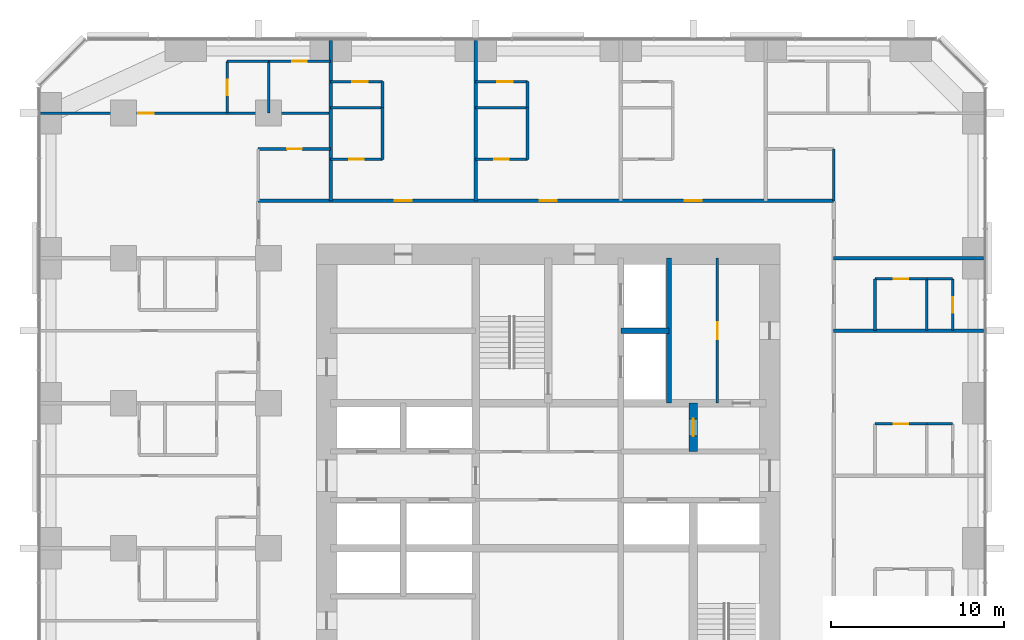
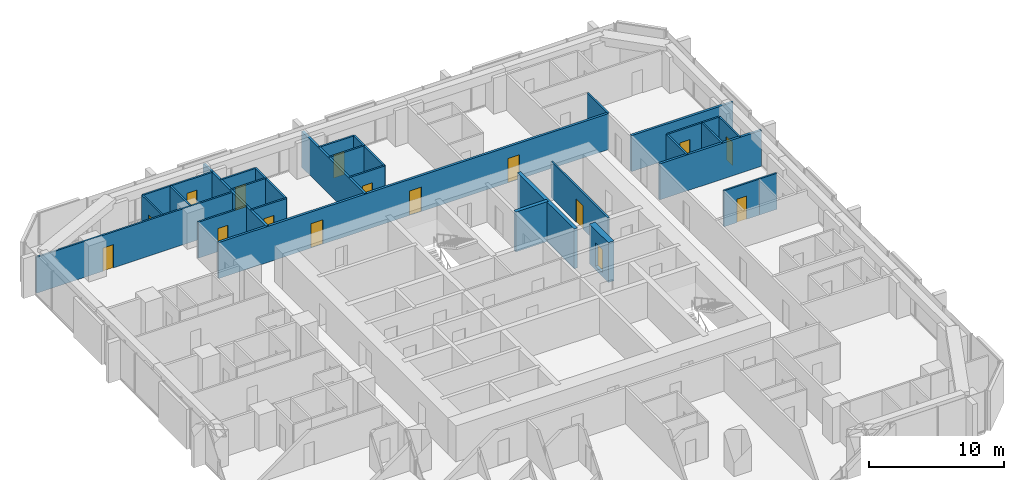
# One storey, part 12 of 14: 33 walls, 16 doors, 16 openings.
"""IFC4 building model written with IfcOpenShell, lengths in metres."""

import ifcopenshell
import ifcopenshell.guid

model = None  # the IFC model being written
_history = None  # IfcOwnerHistory: only IFC2X3 demands one
_inside = {}  # id of a spatial element -> (the spatial element, [elements in it])
_under = {}  # id of a project, library or spatial element -> (it, [spatial elements below it])
_declared = {}  # id of a project -> (the project, [libraries it declares])
_typed = {}  # id of a type object -> (the type object, [elements of that type])
_made_of = {}  # id of a material, layer set ... -> (it, [elements and type objects made of it])


def new_model(schema):
    """Start an empty IFC model of exactly this schema.

    Asked for "IFC4X3", IfcOpenShell would pick the latest addendum, in which some entities
    have other attributes; the version numbers below select the first issue.
    IFC2X3 requires an IfcOwnerHistory on every rooted entity: one is made here for all.
    """
    global model, _history
    if schema == "IFC4X3":
        model = ifcopenshell.file(schema_version=(4, 3, 0, 0))
    else:
        model = ifcopenshell.file(schema=schema)
    _inside.clear()
    _under.clear()
    _declared.clear()
    _typed.clear()
    _made_of.clear()
    _history = None
    if model.schema == "IFC2X3":
        org = make("IfcOrganization", Name="unknown")
        user = make(
            "IfcPersonAndOrganization",
            ThePerson=make("IfcPerson", FamilyName="unknown"),
            TheOrganization=org,
        )
        app = make(
            "IfcApplication",
            ApplicationDeveloper=org,
            Version="unknown",
            ApplicationFullName="unknown",
            ApplicationIdentifier="unknown",
        )
        _history = make(
            "IfcOwnerHistory",
            OwningUser=user,
            OwningApplication=app,
            ChangeAction="ADDED",
            CreationDate=0,
        )
    return model


def make(cls, **values):
    """One entity of the class cls with the attributes given. An attribute that is None is left unset."""
    return model.create_entity(
        cls, **{name: value for name, value in values.items() if value is not None}
    )


def rooted(cls, **values):
    """An entity with a GlobalId (a new one), such as an element, a storey or a relation."""
    return make(cls, GlobalId=ifcopenshell.guid.new(), OwnerHistory=_history, **values)


def si_unit(unit_type, name, prefix=None):
    """IfcSIUnit, for example si_unit("LENGTHUNIT", "METRE", prefix="MILLI")."""
    return make("IfcSIUnit", UnitType=unit_type, Prefix=prefix, Name=name)


def assignment(units):
    """IfcUnitAssignment: the units of a project."""
    return None if units is None else make("IfcUnitAssignment", Units=units)


def point(xyz):
    """IfcCartesianPoint."""
    return None if xyz is None else make("IfcCartesianPoint", Coordinates=xyz)


def direction(xyz):
    """IfcDirection."""
    return None if xyz is None else make("IfcDirection", DirectionRatios=xyz)


def frame(location, z_axis=None, x_axis=None):
    """IfcAxis2Placement3D, a coordinate frame: its origin and axes. An axis left out is left unset."""
    return make(
        "IfcAxis2Placement3D",
        Location=point(location),
        Axis=direction(z_axis),
        RefDirection=direction(x_axis),
    )


def frame_2d(location, x_axis=None):
    """IfcAxis2Placement2D, a coordinate frame in the plane: its origin and x axis."""
    return make(
        "IfcAxis2Placement2D", Location=point(location), RefDirection=direction(x_axis)
    )


def origin():
    """The frame at (0, 0, 0) with its axes left unset."""
    return frame((0.0, 0.0, 0.0))


def place(relative_to, where):
    """IfcLocalPlacement: puts the frame where relative to a parent placement (None: the world)."""
    return make(
        "IfcLocalPlacement", PlacementRelTo=relative_to, RelativePlacement=where
    )


def context(
    kind, dimensions, precision=None, world=None, true_north=None, identifier=None
):
    """IfcGeometricRepresentationContext, for example the 3D "Model" context."""
    return make(
        "IfcGeometricRepresentationContext",
        ContextIdentifier=identifier,
        ContextType=kind,
        CoordinateSpaceDimension=dimensions,
        Precision=precision,
        WorldCoordinateSystem=world,
        TrueNorth=true_north,
    )


def subcontext(parent, identifier, kind, view, scale=None):
    """IfcGeometricRepresentationSubContext, for example "Body" below "Model"."""
    return make(
        "IfcGeometricRepresentationSubContext",
        ContextIdentifier=identifier,
        ContextType=kind,
        ParentContext=parent,
        TargetScale=scale,
        TargetView=view,
    )


def project(units=None, contexts=None):
    """IfcProject with its units and contexts."""
    return rooted(
        "IfcProject",
        Name="project",
        RepresentationContexts=contexts,
        UnitsInContext=assignment(units),
    )


def spatial(cls, under=None, at=None, **own):
    """A site, building, storey or space (cls), placed at a placement, below another one or the project."""
    s = rooted(cls, ObjectPlacement=at, **own)
    if under is not None:
        _under.setdefault(under.id(), (under, []))[1].append(s)
    return s


def profile(cls, at=None, kind="AREA", **sizes):
    """A parametric profile (cls). Its sizes go by their IFC names, for example OverallWidth=200.0."""
    return make(cls, ProfileType=kind, Position=at, **sizes)


def rectangle(**sizes):
    """IfcRectangleProfileDef."""
    return profile("IfcRectangleProfileDef", **sizes)


def extrude(swept, where, along, depth):
    """IfcExtrudedAreaSolid: the profile swept, set in the frame where, extruded along a direction by depth."""
    return make(
        "IfcExtrudedAreaSolid",
        SweptArea=swept,
        Position=where,
        ExtrudedDirection=direction(along),
        Depth=depth,
    )


def shape(context_of_items, identifier, shape_type, items):
    """IfcShapeRepresentation: the items that make up one representation, for example the "Body"."""
    return make(
        "IfcShapeRepresentation",
        ContextOfItems=context_of_items,
        RepresentationIdentifier=identifier,
        RepresentationType=shape_type,
        Items=items,
    )


def material(Name=None, Category=None):
    """IfcMaterial."""
    return make("IfcMaterial", Name=Name, Category=Category)


def layer(
    of_material, thickness, ventilated=None, Name=None, Category=None, Priority=None
):
    """IfcMaterialLayer: one layer of a wall or slab, of a material (None: an air gap)."""
    return make(
        "IfcMaterialLayer",
        Material=of_material,
        LayerThickness=thickness,
        IsVentilated=ventilated,
        Name=Name,
        Category=Category,
        Priority=Priority,
    )


def layer_set(layers, Name=None):
    """IfcMaterialLayerSet."""
    return make("IfcMaterialLayerSet", MaterialLayers=layers, LayerSetName=Name)


def made_of(thing, what):
    """Note that an element or type object is made of a material, layer set ...; save() writes the relation."""
    if what is not None:
        _made_of.setdefault(what.id(), (what, []))[1].append(thing)
    return thing


def type_object(cls, material=None, **own):
    """A type object (cls), such as IfcWallType, which elements share."""
    return made_of(rooted(cls, **own), material)


def element(
    cls,
    number,
    at=None,
    inside=None,
    cuts=None,
    type_object=None,
    material=None,
    context=None,
    identifier="Body",
    shape_type=None,
    held_by="IfcProductDefinitionShape",
    body=None,
    shapes=None,
    **own,
):
    """One element of the class cls, such as IfcWall. Its Tag is "e" and its number.

    at: its placement. inside: the storey or other place that contains it. cuts: it is an
    opening in that element (IfcRelVoidsElement). A single representation is given by context,
    identifier, shape_type and body (its items); several are given by shapes. held_by: the class
    of the entity that holds the representations. save() writes the other relations.
    """
    e = rooted(cls, Tag="e%d" % number, ObjectPlacement=at, **own)
    if body is not None:
        shapes = [shape(context, identifier, shape_type, body)]
    if shapes is not None:
        e.Representation = make(held_by, Representations=shapes)
    if inside is not None:
        _inside.setdefault(inside.id(), (inside, []))[1].append(e)
    if cuts is not None:
        rooted(
            "IfcRelVoidsElement", RelatingBuildingElement=cuts, RelatedOpeningElement=e
        )
    if type_object is not None:
        _typed.setdefault(type_object.id(), (type_object, []))[1].append(e)
    return made_of(e, material)


def fill(opening, filler):
    """IfcRelFillsElement: the door or window that sits in an opening."""
    return rooted(
        "IfcRelFillsElement",
        RelatingOpeningElement=opening,
        RelatedBuildingElement=filler,
    )


def aggregate(whole, parts):
    """IfcRelAggregates: a whole, such as a stair, and the parts it consists of."""
    return rooted("IfcRelAggregates", RelatingObject=whole, RelatedObjects=parts)


def save(model, path):
    """Write the relations noted so far, then the file.

    IfcRelAggregates (storeys below a building ...), IfcRelContainedInSpatialStructure (elements
    in a storey), IfcRelDefinesByType, IfcRelAssociatesMaterial and IfcRelDeclares: one each for
    every whole, place, type object, material and project.
    """
    for whole, parts in _under.values():
        aggregate(whole, parts)
    for where, things in _inside.values():
        rooted(
            "IfcRelContainedInSpatialStructure",
            RelatedElements=things,
            RelatingStructure=where,
        )
    for kind, things in _typed.values():
        rooted("IfcRelDefinesByType", RelatedObjects=things, RelatingType=kind)
    for what, things in _made_of.values():
        rooted("IfcRelAssociatesMaterial", RelatedObjects=things, RelatingMaterial=what)
    for by, libraries in _declared.values():
        rooted("IfcRelDeclares", RelatingContext=by, RelatedDefinitions=libraries)
    model.write(path)


model = new_model("IFC4")

# Units and contexts
model_context = context("Model", 3, precision=1e-05, world=origin(), true_north=direction((0.0, 1.0)))
body_context = subcontext(model_context, "Body", "Model", "MODEL_VIEW")
ifc_project = project(units=[si_unit("LENGTHUNIT", "METRE"), si_unit("AREAUNIT", "SQUARE_METRE"), si_unit("VOLUMEUNIT", "CUBIC_METRE"), si_unit("PLANEANGLEUNIT", "RADIAN"), si_unit("MASSUNIT", "GRAM", prefix="KILO")], contexts=[model_context])

# Site, building, storey
site_placement = place(None, origin())
site = spatial("IfcSite", under=ifc_project, at=site_placement, CompositionType="ELEMENT")
building_placement = place(site_placement, origin())
building = spatial("IfcBuilding", under=site, at=building_placement, Name="Dunama Terrace Hotel", CompositionType="ELEMENT")
storey_placement = place(building_placement, frame((0.0, 0.0, 104.39990234375)))
storey = spatial("IfcBuildingStorey", under=building, at=storey_placement, Name="L26", CompositionType="ELEMENT", Elevation=104.39990234375)

# Walls
ifc_material_1 = material(Name="Gypsum board partition", Category="masonry")
ifc_layer_1 = layer(ifc_material_1, 0.14990234375)
ifc_layer_set_1 = layer_set([ifc_layer_1], Name="Bathroom partition 150")
wall_type_1 = type_object("IfcWallType", Name="Bathroom partition 150", PredefinedType="PARTITIONING", material=ifc_layer_set_1)
for number, where, z_axis, x_axis, name in (
    (1, (19.800048828125, 47.72509765625, 0.0), (0.0, 0.0, 1.0), (0.0, 1.0, 0.0), "Bathroom partition 150 L26"),
    (2, (28.199951171875, 47.72509765625, 0.0), (0.0, 0.0, 1.0), (0.0, 1.0, 0.0), "Bathroom partition 150 L26"),
    (3, (45.925048828125, 45.324951171875, 0.0), (0.0, 0.0, 1.0), (0.0, 1.0, 0.0), "Bathroom partition 150 L26"),
    (4, (48.324951171875, 37.800048828125, 0.0), (0.0, 0.0, 1.0), (0.0, 1.0, 0.0), "Bathroom partition 150 L26"),
):
    element("IfcWall", number, at=place(storey_placement, frame(where, z_axis=z_axis, x_axis=x_axis)), inside=storey, type_object=wall_type_1, Name=name, PredefinedType="PARTITIONING", context=body_context, shape_type="SweptSolid", body=[
        extrude(rectangle(XDim=3.0, YDim=0.14990234375, at=frame_2d((1.5, 0.0))), origin(), (0.0, 0.0, 1.0), 3.25),
    ])

# Wall, opening, door
wall_1_placement = place(storey_placement, frame((48.324951171875, 32.39990234375, 0.0), z_axis=(0.0, 0.0, 1.0), x_axis=(1.0, 0.0, 0.0)))
wall_1 = element("IfcWall", 5, at=wall_1_placement, inside=storey, type_object=wall_type_1, Name="Bathroom partition 150 L26", PredefinedType="PARTITIONING", context=body_context, shape_type="SweptSolid", body=[
    extrude(rectangle(XDim=3.0, YDim=0.14990234375, at=frame_2d((1.5, 0.0))), origin(), (0.0, 0.0, 1.0), 3.25),
])
opening_1_placement = place(wall_1_placement, frame((1.074951171875, 0.0, 0.0)))
opening_1 = element("IfcOpeningElement", 6, at=opening_1_placement, cuts=wall_1, Name="Opening L25-27-030", PredefinedType="OPENING", context=body_context, shape_type="SweptSolid", body=[
    extrude(rectangle(XDim=0.85009765625, YDim=2.10009765625, at=frame_2d((0.425048828125, 1.050048828125))), frame((0.0, 0.0849609375, 0.0), z_axis=(0.0, -1.0, 0.0), x_axis=(1.0, 0.0, 0.0)), (0.0, 0.0, 1.0), 0.169921875),
])
ifc_material_2 = material(Name="Timber door with steel frame", Category="steel")
door_type_1 = type_object("IfcDoorType", Name="Bathroom door 850", OperationType="SINGLE_SWING_LEFT", PredefinedType="DOOR", material=ifc_material_2)
door_1_placement = place(opening_1_placement, frame((0.85009765625, 0.0, 0.0), z_axis=(0.0, 0.0, 1.0), x_axis=(-1.0, 0.0, 0.0)))
door_1 = element("IfcDoor", 7, at=door_1_placement, inside=storey, type_object=door_type_1, Name="Door to en-suite bathroom L25-27-030, type D2", OperationType="SINGLE_SWING_LEFT", OverallHeight=2.10009765625, OverallWidth=0.85009765625, PredefinedType="DOOR", context=body_context, shape_type="SweptSolid", body=[
    extrude(rectangle(XDim=0.85009765625, YDim=2.10009765625, at=frame_2d((0.425048828125, 1.050048828125))), frame((0.0, 0.025146484375, 0.0), z_axis=(0.0, -1.0, 0.0), x_axis=(1.0, 0.0, 0.0)), (0.0, 0.0, 1.0), 0.050048828125),
])
fill(opening_1, door_1)

wall_2_placement = place(storey_placement, frame((48.324951171875, 40.800048828125, 0.0), z_axis=(0.0, 0.0, 1.0), x_axis=(1.0, 0.0, 0.0)))
wall_2 = element("IfcWall", 8, at=wall_2_placement, inside=storey, type_object=wall_type_1, Name="Bathroom partition 150 L26", PredefinedType="PARTITIONING", context=body_context, shape_type="SweptSolid", body=[
    extrude(rectangle(XDim=3.0, YDim=0.14990234375, at=frame_2d((1.5, 0.0))), origin(), (0.0, 0.0, 1.0), 3.25),
])
opening_2_placement = place(wall_2_placement, frame((1.074951171875, 0.0, 0.0)))
opening_2 = element("IfcOpeningElement", 9, at=opening_2_placement, cuts=wall_2, Name="Opening L25-27-033", PredefinedType="OPENING", context=body_context, shape_type="SweptSolid", body=[
    extrude(rectangle(XDim=0.85009765625, YDim=2.10009765625, at=frame_2d((0.425048828125, 1.050048828125))), frame((0.0, 0.0849609375, 0.0), z_axis=(0.0, -1.0, 0.0), x_axis=(1.0, 0.0, 0.0)), (0.0, 0.0, 1.0), 0.169921875),
])
door_2_placement = place(opening_2_placement, frame((0.85009765625, 0.0, 0.0), z_axis=(0.0, 0.0, 1.0), x_axis=(-1.0, 0.0, 0.0)))
door_2 = element("IfcDoor", 10, at=door_2_placement, inside=storey, type_object=door_type_1, Name="Door to en-suite bathroom L25-27-033, type D2", OperationType="SINGLE_SWING_LEFT", OverallHeight=2.10009765625, OverallWidth=0.85009765625, PredefinedType="DOOR", context=body_context, shape_type="SweptSolid", body=[
    extrude(rectangle(XDim=0.85009765625, YDim=2.10009765625, at=frame_2d((0.425048828125, 1.050048828125))), frame((0.0, 0.025146484375, 0.0), z_axis=(0.0, -1.0, 0.0), x_axis=(1.0, 0.0, 0.0)), (0.0, 0.0, 1.0), 0.050048828125),
])
fill(opening_2, door_2)

wall_3_placement = place(storey_placement, frame((16.800048828125, 47.72509765625, 0.0), z_axis=(0.0, 0.0, 1.0), x_axis=(1.0, 0.0, 0.0)))
wall_3 = element("IfcWall", 11, at=wall_3_placement, inside=storey, type_object=wall_type_1, Name="Bathroom partition 150 L26", PredefinedType="PARTITIONING", context=body_context, shape_type="SweptSolid", body=[
    extrude(rectangle(XDim=3.0, YDim=0.14990234375, at=frame_2d((1.5, 0.0))), origin(), (0.0, 0.0, 1.0), 3.25),
])
opening_3_placement = place(wall_3_placement, frame((1.074951171875, 0.0, 0.0)))
opening_3 = element("IfcOpeningElement", 12, at=opening_3_placement, cuts=wall_3, Name="Opening L25-27-036", PredefinedType="OPENING", context=body_context, shape_type="SweptSolid", body=[
    extrude(rectangle(XDim=0.85009765625, YDim=2.10009765625, at=frame_2d((0.425048828125, 1.050048828125))), frame((0.0, 0.0849609375, 0.0), z_axis=(0.0, -1.0, 0.0), x_axis=(1.0, 0.0, 0.0)), (0.0, 0.0, 1.0), 0.169921875),
])
door_3_placement = place(opening_3_placement, origin())
door_3 = element("IfcDoor", 13, at=door_3_placement, inside=storey, type_object=door_type_1, Name="Door to en-suite bathroom L25-27-036, type D2", OperationType="SINGLE_SWING_LEFT", OverallHeight=2.10009765625, OverallWidth=0.85009765625, PredefinedType="DOOR", context=body_context, shape_type="SweptSolid", body=[
    extrude(rectangle(XDim=0.85009765625, YDim=2.10009765625, at=frame_2d((0.425048828125, 1.050048828125))), frame((0.0, 0.02490234375, 0.0), z_axis=(0.0, -1.0, 0.0), x_axis=(1.0, 0.0, 0.0)), (0.0, 0.0, 1.0), 0.050048828125),
])
fill(opening_3, door_3)

wall_4_placement = place(storey_placement, frame((25.199951171875, 47.72509765625, 0.0), z_axis=(0.0, 0.0, 1.0), x_axis=(1.0, 0.0, 0.0)))
wall_4 = element("IfcWall", 14, at=wall_4_placement, inside=storey, type_object=wall_type_1, Name="Bathroom partition 150 L26", PredefinedType="PARTITIONING", context=body_context, shape_type="SweptSolid", body=[
    extrude(rectangle(XDim=3.0, YDim=0.14990234375, at=frame_2d((1.5, 0.0))), origin(), (0.0, 0.0, 1.0), 3.25),
])
opening_4_placement = place(wall_4_placement, frame((1.074951171875, 0.0, 0.0)))
opening_4 = element("IfcOpeningElement", 15, at=opening_4_placement, cuts=wall_4, Name="Opening L25-27-039", PredefinedType="OPENING", context=body_context, shape_type="SweptSolid", body=[
    extrude(rectangle(XDim=0.85009765625, YDim=2.10009765625, at=frame_2d((0.425048828125, 1.050048828125))), frame((0.0, 0.0849609375, 0.0), z_axis=(0.0, -1.0, 0.0), x_axis=(1.0, 0.0, 0.0)), (0.0, 0.0, 1.0), 0.169921875),
])
door_4_placement = place(opening_4_placement, origin())
door_4 = element("IfcDoor", 16, at=door_4_placement, inside=storey, type_object=door_type_1, Name="Door to en-suite bathroom L25-27-039, type D2", OperationType="SINGLE_SWING_LEFT", OverallHeight=2.10009765625, OverallWidth=0.85009765625, PredefinedType="DOOR", context=body_context, shape_type="SweptSolid", body=[
    extrude(rectangle(XDim=0.85009765625, YDim=2.10009765625, at=frame_2d((0.425048828125, 1.050048828125))), frame((0.0, 0.02490234375, 0.0), z_axis=(0.0, -1.0, 0.0), x_axis=(1.0, 0.0, 0.0)), (0.0, 0.0, 1.0), 0.050048828125),
])
fill(opening_4, door_4)

wall_5_placement = place(storey_placement, frame((12.60009765625, 48.324951171875, 0.0), z_axis=(0.0, 0.0, 1.0), x_axis=(1.0, 0.0, 0.0)))
wall_5 = element("IfcWall", 17, at=wall_5_placement, inside=storey, type_object=wall_type_1, Name="Bathroom partition 150 L26", PredefinedType="PARTITIONING", context=body_context, shape_type="SweptSolid", body=[
    extrude(rectangle(XDim=4.199951171875, YDim=0.14990234375, at=frame_2d((2.10009765625, 0.0))), origin(), (0.0, 0.0, 1.0), 3.25),
])
opening_5_placement = place(wall_5_placement, frame((1.675048828125, 0.0, 0.0)))
opening_5 = element("IfcOpeningElement", 18, at=opening_5_placement, cuts=wall_5, Name="Opening L25-27-075", PredefinedType="OPENING", context=body_context, shape_type="SweptSolid", body=[
    extrude(rectangle(XDim=0.85009765625, YDim=2.10009765625, at=frame_2d((0.425048828125, 1.050048828125))), frame((0.0, 0.0849609375, 0.0), z_axis=(0.0, -1.0, 0.0), x_axis=(1.0, 0.0, 0.0)), (0.0, 0.0, 1.0), 0.169921875),
])
door_5_placement = place(opening_5_placement, frame((0.85009765625, 0.0, 0.0), z_axis=(0.0, 0.0, 1.0), x_axis=(-1.0, 0.0, 0.0)))
door_5 = element("IfcDoor", 19, at=door_5_placement, inside=storey, type_object=door_type_1, Name="Door to powder room L25-27-075, type D2", OperationType="SINGLE_SWING_RIGHT", OverallHeight=2.10009765625, OverallWidth=0.85009765625, PredefinedType="DOOR", context=body_context, shape_type="SweptSolid", body=[
    extrude(rectangle(XDim=0.85009765625, YDim=2.10009765625, at=frame_2d((0.425048828125, 1.050048828125))), frame((0.0, 0.025146484375, 0.0), z_axis=(0.0, -1.0, 0.0), x_axis=(1.0, 0.0, 0.0)), (0.0, 0.0, 1.0), 0.050048828125),
])
fill(opening_5, door_5)

wall_6_placement = place(storey_placement, frame((13.199951171875, 53.39990234375, 0.0), z_axis=(0.0, 0.0, 1.0), x_axis=(1.0, 0.0, 0.0)))
wall_6 = element("IfcWall", 20, at=wall_6_placement, inside=storey, type_object=wall_type_1, Name="Bathroom partition 150 L26", PredefinedType="PARTITIONING", context=body_context, shape_type="SweptSolid", body=[
    extrude(rectangle(XDim=3.60009765625, YDim=0.14990234375, at=frame_2d((1.800048828125, 0.0))), origin(), (0.0, 0.0, 1.0), 3.25),
])
opening_6_placement = place(wall_6_placement, frame((1.375, 0.0, 0.0)))
opening_6 = element("IfcOpeningElement", 21, at=opening_6_placement, cuts=wall_6, Name="Opening L25-27-077", PredefinedType="OPENING", context=body_context, shape_type="SweptSolid", body=[
    extrude(rectangle(XDim=0.85009765625, YDim=2.10009765625, at=frame_2d((0.425048828125, 1.050048828125))), frame((0.0, 0.0849609375, 0.0), z_axis=(0.0, -1.0, 0.0), x_axis=(1.0, 0.0, 0.0)), (0.0, 0.0, 1.0), 0.169921875),
])
door_6_placement = place(opening_6_placement, frame((0.85009765625, 0.0, 0.0), z_axis=(0.0, 0.0, 1.0), x_axis=(-1.0, 0.0, 0.0)))
door_6 = element("IfcDoor", 22, at=door_6_placement, inside=storey, type_object=door_type_1, Name="Door to en-suite bathroom L25-27-077, type D2", OperationType="SINGLE_SWING_LEFT", OverallHeight=2.10009765625, OverallWidth=0.85009765625, PredefinedType="DOOR", context=body_context, shape_type="SweptSolid", body=[
    extrude(rectangle(XDim=0.85009765625, YDim=2.10009765625, at=frame_2d((0.425048828125, 1.050048828125))), frame((0.0, 0.025146484375, 0.0), z_axis=(0.0, -1.0, 0.0), x_axis=(1.0, 0.0, 0.0)), (0.0, 0.0, 1.0), 0.050048828125),
])
fill(opening_6, door_6)

# Walls
ifc_material_3 = material(Name="Concrete C50/60", Category="concrete")
ifc_layer_2 = layer(ifc_material_3, 0.300048828125)
ifc_layer_set_2 = layer_set([ifc_layer_2], Name="Core inner wall 300")
wall_type_2 = type_object("IfcWallType", Name="Core inner wall 300", PredefinedType="SHEAR", material=ifc_layer_set_2)
wall_7_placement = place(storey_placement, frame((36.39990234375, 33.60009765625, -0.349853515625), z_axis=(0.0, 0.0, 1.0), x_axis=(0.0, 1.0, 0.0)))
element("IfcWall", 23, at=wall_7_placement, inside=storey, type_object=wall_type_2, Name="Core inner wall 300 L26", PredefinedType="SHEAR", context=body_context, shape_type="SweptSolid", body=[
    extrude(rectangle(XDim=8.39990234375, YDim=0.300048828125, at=frame_2d((4.199951171875, 0.0))), origin(), (0.0, 0.0, 1.0), 3.599853515625),
])
wall_8_placement = place(storey_placement, frame((33.60009765625, 37.800048828125, -0.349853515625), z_axis=(0.0, 0.0, 1.0), x_axis=(1.0, 0.0, 0.0)))
element("IfcWall", 24, at=wall_8_placement, inside=storey, type_object=wall_type_2, Name="Core inner wall 300 L26", PredefinedType="SHEAR", context=body_context, shape_type="SweptSolid", body=[
    extrude(rectangle(XDim=2.7998046875, YDim=0.300048828125, at=frame_2d((1.39990234375, 0.0))), origin(), (0.0, 0.0, 1.0), 3.599853515625),
])

# Wall, opening, door
ifc_material_4 = material(Name="Concrete C50/60", Category="concrete")
ifc_layer_3 = layer(ifc_material_4, 0.5)
ifc_layer_set_3 = layer_set([ifc_layer_3], Name="Core inner wall 500")
wall_type_3 = type_object("IfcWallType", Name="Core inner wall 500", PredefinedType="SHEAR", material=ifc_layer_set_3)
wall_9_placement = place(storey_placement, frame((37.800048828125, 30.800048828125, -0.349853515625), z_axis=(0.0, 0.0, 1.0), x_axis=(0.0, 1.0, 0.0)))
wall_9 = element("IfcWall", 25, at=wall_9_placement, inside=storey, type_object=wall_type_3, Name="Core inner wall 500 L26", PredefinedType="SHEAR", context=body_context, shape_type="SweptSolid", body=[
    extrude(rectangle(XDim=2.800048828125, YDim=0.5, at=frame_2d((1.39990234375, 0.0))), origin(), (0.0, 0.0, 1.0), 3.599853515625),
])
opening_7_placement = place(wall_9_placement, frame((0.89990234375, 0.0, 0.35009765625)))
opening_7 = element("IfcOpeningElement", 26, at=opening_7_placement, cuts=wall_9, Name="Opening L25-27-087", PredefinedType="OPENING", context=body_context, shape_type="SweptSolid", body=[
    extrude(rectangle(XDim=1.0, YDim=2.10009765625, at=frame_2d((0.5, 1.050048828125))), frame((0.0, 0.260009765625, 0.0), z_axis=(0.0, -1.0, 0.0), x_axis=(1.0, 0.0, 0.0)), (0.0, 0.0, 1.0), 0.52001953125),
])
ifc_material_5 = material(Name="Timber door with steel frame", Category="steel")
door_type_2 = type_object("IfcDoorType", Name="Service door 1000", OperationType="SINGLE_SWING_LEFT", PredefinedType="DOOR", material=ifc_material_5)
door_7_placement = place(opening_7_placement, frame((1.0, 0.0, 0.0), z_axis=(0.0, 0.0, 1.0), x_axis=(-1.0, 0.0, 0.0)))
door_7 = element("IfcDoor", 27, at=door_7_placement, inside=storey, type_object=door_type_2, Name="Door to service riser L25-27-087, type D7", OperationType="SINGLE_SWING_LEFT", OverallHeight=2.10009765625, OverallWidth=1.0, PredefinedType="DOOR", context=body_context, shape_type="SweptSolid", body=[
    extrude(rectangle(XDim=1.0, YDim=2.10009765625, at=frame_2d((0.5, 1.050048828125))), frame((0.0, 0.025146484375, 0.0), z_axis=(0.0, -1.0, 0.0), x_axis=(1.0, 0.0, 0.0)), (0.0, 0.0, 1.0), 0.050048828125),
])
fill(opening_7, door_7)

# Wall, openings, doors
ifc_material_6 = material(Name="Concrete blockwork", Category="masonry")
ifc_layer_4 = layer(ifc_material_6, 0.199951171875)
ifc_layer_set_4 = layer_set([ifc_layer_4], Name="Corridor partition 200")
wall_type_4 = type_object("IfcWallType", Name="Corridor partition 200", PredefinedType="PARTITIONING", material=ifc_layer_set_4)
wall_10_placement = place(storey_placement, frame((12.60009765625, 45.324951171875, 0.0), z_axis=(0.0, 0.0, 1.0), x_axis=(1.0, 0.0, 0.0)))
wall_10 = element("IfcWall", 28, at=wall_10_placement, inside=storey, type_object=wall_type_4, Name="Corridor partition 200 L26", PredefinedType="PARTITIONING", context=body_context, shape_type="SweptSolid", body=[
    extrude(rectangle(XDim=33.324951171875, YDim=0.199951171875, at=frame_2d((16.66259765625, 0.0))), origin(), (0.0, 0.0, 1.0), 3.25),
])
opening_8_placement = place(wall_10_placement, frame((7.89990234375, 0.0, 0.0)))
opening_8 = element("IfcOpeningElement", 29, at=opening_8_placement, cuts=wall_10, Name="Opening L25-27-035", PredefinedType="OPENING", context=body_context, shape_type="SweptSolid", body=[
    extrude(rectangle(XDim=1.0, YDim=2.199951171875, at=frame_2d((0.5, 1.10009765625))), frame((0.0, 0.10986328125, 0.0), z_axis=(0.0, -1.0, 0.0), x_axis=(1.0, 0.0, 0.0)), (0.0, 0.0, 1.0), 0.219970703125),
])
opening_9_placement = place(wall_10_placement, frame((16.300048828125, 0.0, 0.0)))
opening_9 = element("IfcOpeningElement", 30, at=opening_9_placement, cuts=wall_10, Name="Opening L25-27-038", PredefinedType="OPENING", context=body_context, shape_type="SweptSolid", body=[
    extrude(rectangle(XDim=1.0, YDim=2.199951171875, at=frame_2d((0.5, 1.10009765625))), frame((0.0, 0.10986328125, 0.0), z_axis=(0.0, -1.0, 0.0), x_axis=(1.0, 0.0, 0.0)), (0.0, 0.0, 1.0), 0.219970703125),
])
opening_10_placement = place(wall_10_placement, frame((24.699951171875, 0.0, 0.0)))
opening_10 = element("IfcOpeningElement", 31, at=opening_10_placement, cuts=wall_10, Name="Opening L25-27-041", PredefinedType="OPENING", context=body_context, shape_type="SweptSolid", body=[
    extrude(rectangle(XDim=1.0, YDim=2.199951171875, at=frame_2d((0.5, 1.10009765625))), frame((0.0, 0.10986328125, 0.0), z_axis=(0.0, -1.0, 0.0), x_axis=(1.0, 0.0, 0.0)), (0.0, 0.0, 1.0), 0.219970703125),
])
ifc_material_7 = material(Name="Timber door with steel frame", Category="steel")
door_type_3 = type_object("IfcDoorType", Name="Guest room door 1000", OperationType="SINGLE_SWING_LEFT", PredefinedType="DOOR", material=ifc_material_7)
door_8_placement = place(opening_8_placement, origin())
door_8 = element("IfcDoor", 32, at=door_8_placement, inside=storey, type_object=door_type_3, Name="Door to junior suite L25-27-035, type D1", OperationType="SINGLE_SWING_LEFT", OverallHeight=2.199951171875, OverallWidth=1.0, PredefinedType="DOOR", context=body_context, shape_type="SweptSolid", body=[
    extrude(rectangle(XDim=1.0, YDim=2.199951171875, at=frame_2d((0.5, 1.10009765625))), frame((0.0, 0.02490234375, 0.0), z_axis=(0.0, -1.0, 0.0), x_axis=(1.0, 0.0, 0.0)), (0.0, 0.0, 1.0), 0.050048828125),
])
fill(opening_8, door_8)
door_9_placement = place(opening_9_placement, origin())
door_9 = element("IfcDoor", 33, at=door_9_placement, inside=storey, type_object=door_type_3, Name="Door to junior suite L25-27-038, type D1", OperationType="SINGLE_SWING_LEFT", OverallHeight=2.199951171875, OverallWidth=1.0, PredefinedType="DOOR", context=body_context, shape_type="SweptSolid", body=[
    extrude(rectangle(XDim=1.0, YDim=2.199951171875, at=frame_2d((0.5, 1.10009765625))), frame((0.0, 0.02490234375, 0.0), z_axis=(0.0, -1.0, 0.0), x_axis=(1.0, 0.0, 0.0)), (0.0, 0.0, 1.0), 0.050048828125),
])
fill(opening_9, door_9)
door_10_placement = place(opening_10_placement, origin())
door_10 = element("IfcDoor", 34, at=door_10_placement, inside=storey, type_object=door_type_3, Name="Door to junior suite L25-27-041, type D1", OperationType="SINGLE_SWING_LEFT", OverallHeight=2.199951171875, OverallWidth=1.0, PredefinedType="DOOR", context=body_context, shape_type="SweptSolid", body=[
    extrude(rectangle(XDim=1.0, YDim=2.199951171875, at=frame_2d((0.5, 1.10009765625))), frame((0.0, 0.02490234375, 0.0), z_axis=(0.0, -1.0, 0.0), x_axis=(1.0, 0.0, 0.0)), (0.0, 0.0, 1.0), 0.050048828125),
])
fill(opening_10, door_10)

# Walls
ifc_material_8 = material(Name="Concrete blockwork", Category="masonry")
ifc_layer_5 = layer(ifc_material_8, 0.199951171875)
ifc_layer_set_5 = layer_set([ifc_layer_5], Name="Party wall 200")
wall_type_5 = type_object("IfcWallType", Name="Party wall 200", PredefinedType="PARTITIONING", material=ifc_layer_set_5)
for number, where, z_axis, x_axis, name in (
    (35, (16.800048828125, 45.324951171875, 0.0), (0.0, 0.0, 1.0), (0.0, 1.0, 0.0), "Party wall 200 L26"),
    (36, (25.199951171875, 45.324951171875, 0.0), (0.0, 0.0, 1.0), (0.0, 1.0, 0.0), "Party wall 200 L26"),
):
    element("IfcWall", number, at=place(storey_placement, frame(where, z_axis=z_axis, x_axis=x_axis)), inside=storey, type_object=wall_type_5, Name=name, PredefinedType="PARTITIONING", context=body_context, shape_type="SweptSolid", body=[
        extrude(rectangle(XDim=9.29296875, YDim=0.199951171875, at=frame_2d((4.646484375, 0.0))), origin(), (0.0, 0.0, 1.0), 3.25),
    ])
for number, where, z_axis, x_axis, name in (
    (37, (45.925048828125, 37.800048828125, 0.0), (0.0, 0.0, 1.0), (1.0, 0.0, 0.0), "Party wall 200 L26"),
    (38, (45.925048828125, 42.0, 0.0), (0.0, 0.0, 1.0), (1.0, 0.0, 0.0), "Party wall 200 L26"),
):
    element("IfcWall", number, at=place(storey_placement, frame(where, z_axis=z_axis, x_axis=x_axis)), inside=storey, type_object=wall_type_5, Name=name, PredefinedType="PARTITIONING", context=body_context, shape_type="SweptSolid", body=[
        extrude(rectangle(XDim=8.69287109375, YDim=0.199951171875, at=frame_2d((4.346435546875, 0.0))), origin(), (0.0, 0.0, 1.0), 3.25),
    ])

# Wall, opening, door
ifc_material_9 = material(Name="Gypsum board partition", Category="masonry")
ifc_layer_6 = layer(ifc_material_9, 0.14990234375)
ifc_layer_set_6 = layer_set([ifc_layer_6], Name="Room partition 150")
wall_type_6 = type_object("IfcWallType", Name="Room partition 150", PredefinedType="PARTITIONING", material=ifc_layer_set_6)
wall_11_placement = place(storey_placement, frame((10.800048828125, 50.39990234375, 0.0), z_axis=(0.0, 0.0, 1.0), x_axis=(0.0, 1.0, 0.0)))
wall_11 = element("IfcWall", 39, at=wall_11_placement, inside=storey, type_object=wall_type_6, Name="Room partition 150 L26", PredefinedType="PARTITIONING", context=body_context, shape_type="SweptSolid", body=[
    extrude(rectangle(XDim=3.0, YDim=0.14990234375, at=frame_2d((1.5, 0.0))), origin(), (0.0, 0.0, 1.0), 3.25),
])
opening_11_placement = place(wall_11_placement, frame((1.050048828125, 0.0, 0.0)))
opening_11 = element("IfcOpeningElement", 40, at=opening_11_placement, cuts=wall_11, Name="Opening L25-27-078", PredefinedType="OPENING", context=body_context, shape_type="SweptSolid", body=[
    extrude(rectangle(XDim=0.89990234375, YDim=2.10009765625, at=frame_2d((0.449951171875, 1.050048828125))), frame((0.0, 0.0849609375, 0.0), z_axis=(0.0, -1.0, 0.0), x_axis=(1.0, 0.0, 0.0)), (0.0, 0.0, 1.0), 0.169921875),
])
ifc_material_10 = material(Name="Timber door with steel frame", Category="steel")
door_type_4 = type_object("IfcDoorType", Name="Suite internal door 900", OperationType="SINGLE_SWING_LEFT", PredefinedType="DOOR", material=ifc_material_10)
door_11_placement = place(opening_11_placement, frame((0.89990234375, 0.0, 0.0), z_axis=(0.0, 0.0, 1.0), x_axis=(-1.0, 0.0, 0.0)))
door_11 = element("IfcDoor", 41, at=door_11_placement, inside=storey, type_object=door_type_4, Name="Door to dressing room L25-27-078, type D16", OperationType="SINGLE_SWING_RIGHT", OverallHeight=2.10009765625, OverallWidth=0.89990234375, PredefinedType="DOOR", context=body_context, shape_type="SweptSolid", body=[
    extrude(rectangle(XDim=0.89990234375, YDim=2.10009765625, at=frame_2d((0.449951171875, 1.050048828125))), frame((0.0, 0.025146484375, 0.0), z_axis=(0.0, -1.0, 0.0), x_axis=(1.0, 0.0, 0.0)), (0.0, 0.0, 1.0), 0.050048828125),
])
fill(opening_11, door_11)

# Walls
wall_12_placement = place(storey_placement, frame((13.199951171875, 50.39990234375, 0.0), z_axis=(0.0, 0.0, 1.0), x_axis=(0.0, 1.0, 0.0)))
element("IfcWall", 42, at=wall_12_placement, inside=storey, type_object=wall_type_6, Name="Room partition 150 L26", PredefinedType="PARTITIONING", context=body_context, shape_type="SweptSolid", body=[
    extrude(rectangle(XDim=3.0, YDim=0.14990234375, at=frame_2d((1.5, 0.0))), origin(), (0.0, 0.0, 1.0), 3.25),
])
for number, where, z_axis, x_axis, name in (
    (43, (19.800048828125, 50.72509765625, 0.0), (0.0, 0.0, 1.0), (0.0, 1.0, 0.0), "Room partition 150 L26"),
    (44, (28.199951171875, 50.72509765625, 0.0), (0.0, 0.0, 1.0), (0.0, 1.0, 0.0), "Room partition 150 L26"),
):
    element("IfcWall", number, at=place(storey_placement, frame(where, z_axis=z_axis, x_axis=x_axis)), inside=storey, type_object=wall_type_6, Name=name, PredefinedType="PARTITIONING", context=body_context, shape_type="SweptSolid", body=[
        extrude(rectangle(XDim=1.5, YDim=0.14990234375, at=frame_2d((0.75, 0.0))), origin(), (0.0, 0.0, 1.0), 3.25),
    ])

# Wall, opening, door
wall_13_placement = place(storey_placement, frame((39.199951171875, 33.60009765625, 0.0), z_axis=(0.0, 0.0, 1.0), x_axis=(0.0, 1.0, 0.0)))
wall_13 = element("IfcWall", 45, at=wall_13_placement, inside=storey, type_object=wall_type_6, Name="Room partition 150 L26", PredefinedType="PARTITIONING", context=body_context, shape_type="SweptSolid", body=[
    extrude(rectangle(XDim=8.39990234375, YDim=0.14990234375, at=frame_2d((4.199951171875, 0.0))), origin(), (0.0, 0.0, 1.0), 3.25),
])
opening_12_placement = place(wall_13_placement, frame((3.699951171875, 0.0, 0.0)))
opening_12 = element("IfcOpeningElement", 46, at=opening_12_placement, cuts=wall_13, Name="Opening L25-27-092", PredefinedType="OPENING", context=body_context, shape_type="SweptSolid", body=[
    extrude(rectangle(XDim=1.0, YDim=2.10009765625, at=frame_2d((0.5, 1.050048828125))), frame((0.0, 0.0849609375, 0.0), z_axis=(0.0, -1.0, 0.0), x_axis=(1.0, 0.0, 0.0)), (0.0, 0.0, 1.0), 0.169921875),
])
door_12_placement = place(opening_12_placement, origin())
door_12 = element("IfcDoor", 47, at=door_12_placement, inside=storey, type_object=door_type_2, Name="Door to cleaners store L25-27-092, type D7", OperationType="SINGLE_SWING_LEFT", OverallHeight=2.10009765625, OverallWidth=1.0, PredefinedType="DOOR", context=body_context, shape_type="SweptSolid", body=[
    extrude(rectangle(XDim=1.0, YDim=2.10009765625, at=frame_2d((0.5, 1.050048828125))), frame((0.0, 0.02490234375, 0.0), z_axis=(0.0, -1.0, 0.0), x_axis=(1.0, 0.0, 0.0)), (0.0, 0.0, 1.0), 0.050048828125),
])
fill(opening_12, door_12)

# Wall
wall_14_placement = place(storey_placement, frame((51.324951171875, 37.800048828125, 0.0), z_axis=(0.0, 0.0, 1.0), x_axis=(0.0, 1.0, 0.0)))
element("IfcWall", 48, at=wall_14_placement, inside=storey, type_object=wall_type_6, Name="Room partition 150 L26", PredefinedType="PARTITIONING", context=body_context, shape_type="SweptSolid", body=[
    extrude(rectangle(XDim=3.0, YDim=0.14990234375, at=frame_2d((1.5, 0.0))), origin(), (0.0, 0.0, 1.0), 3.25),
])

# Wall, opening, door
wall_15_placement = place(storey_placement, frame((52.824951171875, 37.800048828125, 0.0), z_axis=(0.0, 0.0, 1.0), x_axis=(0.0, 1.0, 0.0)))
wall_15 = element("IfcWall", 49, at=wall_15_placement, inside=storey, type_object=wall_type_6, Name="Room partition 150 L26", PredefinedType="PARTITIONING", context=body_context, shape_type="SweptSolid", body=[
    extrude(rectangle(XDim=3.0, YDim=0.14990234375, at=frame_2d((1.5, 0.0))), origin(), (0.0, 0.0, 1.0), 3.25),
])
opening_13_placement = place(wall_15_placement, frame((1.050048828125, 0.0, 0.0)))
opening_13 = element("IfcOpeningElement", 50, at=opening_13_placement, cuts=wall_15, Name="Opening L25-27-034", PredefinedType="OPENING", context=body_context, shape_type="SweptSolid", body=[
    extrude(rectangle(XDim=0.89990234375, YDim=2.10009765625, at=frame_2d((0.449951171875, 1.050048828125))), frame((0.0, 0.0849609375, 0.0), z_axis=(0.0, -1.0, 0.0), x_axis=(1.0, 0.0, 0.0)), (0.0, 0.0, 1.0), 0.169921875),
])
door_13_placement = place(opening_13_placement, origin())
door_13 = element("IfcDoor", 51, at=door_13_placement, inside=storey, type_object=door_type_4, Name="Door to walk-in wardrobe L25-27-034, type D16", OperationType="SINGLE_SWING_LEFT", OverallHeight=2.10009765625, OverallWidth=0.89990234375, PredefinedType="DOOR", context=body_context, shape_type="SweptSolid", body=[
    extrude(rectangle(XDim=0.89990234375, YDim=2.10009765625, at=frame_2d((0.449951171875, 1.050048828125))), frame((0.0, 0.02490234375, 0.0), z_axis=(0.0, -1.0, 0.0), x_axis=(1.0, 0.0, 0.0)), (0.0, 0.0, 1.0), 0.050048828125),
])
fill(opening_13, door_13)

# Walls
for number, where, z_axis, x_axis, name in (
    (52, (51.324951171875, 32.39990234375, 0.0), (0.0, 0.0, 1.0), (1.0, 0.0, 0.0), "Room partition 150 L26"),
    (53, (51.324951171875, 40.800048828125, 0.0), (0.0, 0.0, 1.0), (1.0, 0.0, 0.0), "Room partition 150 L26"),
):
    element("IfcWall", number, at=place(storey_placement, frame(where, z_axis=z_axis, x_axis=x_axis)), inside=storey, type_object=wall_type_6, Name=name, PredefinedType="PARTITIONING", context=body_context, shape_type="SweptSolid", body=[
        extrude(rectangle(XDim=1.5, YDim=0.14990234375, at=frame_2d((0.75, 0.0))), origin(), (0.0, 0.0, 1.0), 3.25),
    ])

# Wall, opening, door
wall_16_placement = place(storey_placement, frame((-0.01806640625, 50.39990234375, 0.0), z_axis=(0.0, 0.0, 1.0), x_axis=(1.0, 0.0, 0.0)))
wall_16 = element("IfcWall", 54, at=wall_16_placement, inside=storey, type_object=wall_type_6, Name="Room partition 150 L26", PredefinedType="PARTITIONING", context=body_context, shape_type="SweptSolid", body=[
    extrude(rectangle(XDim=16.818115234375, YDim=0.14990234375, at=frame_2d((8.4091796875, 0.0))), origin(), (0.0, 0.0, 1.0), 3.25),
])
opening_14_placement = place(wall_16_placement, frame((5.66796875, 0.0, 0.0)))
opening_14 = element("IfcOpeningElement", 55, at=opening_14_placement, cuts=wall_16, Name="Opening L25-27-076", PredefinedType="OPENING", context=body_context, shape_type="SweptSolid", body=[
    extrude(rectangle(XDim=0.89990234375, YDim=2.10009765625, at=frame_2d((0.449951171875, 1.050048828125))), frame((0.0, 0.0849609375, 0.0), z_axis=(0.0, -1.0, 0.0), x_axis=(1.0, 0.0, 0.0)), (0.0, 0.0, 1.0), 0.169921875),
])
door_14_placement = place(opening_14_placement, origin())
door_14 = element("IfcDoor", 56, at=door_14_placement, inside=storey, type_object=door_type_4, Name="Door to corner suite bedroom L25-27-076, type D16", OperationType="SINGLE_SWING_LEFT", OverallHeight=2.10009765625, OverallWidth=0.89990234375, PredefinedType="DOOR", context=body_context, shape_type="SweptSolid", body=[
    extrude(rectangle(XDim=0.89990234375, YDim=2.10009765625, at=frame_2d((0.449951171875, 1.050048828125))), frame((0.0, 0.02490234375, 0.0), z_axis=(0.0, -1.0, 0.0), x_axis=(1.0, 0.0, 0.0)), (0.0, 0.0, 1.0), 0.050048828125),
])
fill(opening_14, door_14)

# Walls
for number, where, z_axis, x_axis, name in (
    (57, (16.800048828125, 50.72509765625, 0.0), (0.0, 0.0, 1.0), (1.0, 0.0, 0.0), "Room partition 150 L26"),
    (58, (25.199951171875, 50.72509765625, 0.0), (0.0, 0.0, 1.0), (1.0, 0.0, 0.0), "Room partition 150 L26"),
):
    element("IfcWall", number, at=place(storey_placement, frame(where, z_axis=z_axis, x_axis=x_axis)), inside=storey, type_object=wall_type_6, Name=name, PredefinedType="PARTITIONING", context=body_context, shape_type="SweptSolid", body=[
        extrude(rectangle(XDim=3.0, YDim=0.14990234375, at=frame_2d((1.5, 0.0))), origin(), (0.0, 0.0, 1.0), 3.25),
    ])

# Wall, opening, door
wall_17_placement = place(storey_placement, frame((16.800048828125, 52.22509765625, 0.0), z_axis=(0.0, 0.0, 1.0), x_axis=(1.0, 0.0, 0.0)))
wall_17 = element("IfcWall", 59, at=wall_17_placement, inside=storey, type_object=wall_type_6, Name="Room partition 150 L26", PredefinedType="PARTITIONING", context=body_context, shape_type="SweptSolid", body=[
    extrude(rectangle(XDim=3.0, YDim=0.14990234375, at=frame_2d((1.5, 0.0))), origin(), (0.0, 0.0, 1.0), 3.25),
])
opening_15_placement = place(wall_17_placement, frame((1.25, 0.0, 0.0)))
opening_15 = element("IfcOpeningElement", 60, at=opening_15_placement, cuts=wall_17, Name="Opening L25-27-037", PredefinedType="OPENING", context=body_context, shape_type="SweptSolid", body=[
    extrude(rectangle(XDim=0.89990234375, YDim=2.10009765625, at=frame_2d((0.449951171875, 1.050048828125))), frame((0.0, 0.0849609375, 0.0), z_axis=(0.0, -1.0, 0.0), x_axis=(1.0, 0.0, 0.0)), (0.0, 0.0, 1.0), 0.169921875),
])
door_15_placement = place(opening_15_placement, frame((0.89990234375, 0.0, 0.0), z_axis=(0.0, 0.0, 1.0), x_axis=(-1.0, 0.0, 0.0)))
door_15 = element("IfcDoor", 61, at=door_15_placement, inside=storey, type_object=door_type_4, Name="Door to walk-in wardrobe L25-27-037, type D16", OperationType="SINGLE_SWING_RIGHT", OverallHeight=2.10009765625, OverallWidth=0.89990234375, PredefinedType="DOOR", context=body_context, shape_type="SweptSolid", body=[
    extrude(rectangle(XDim=0.89990234375, YDim=2.10009765625, at=frame_2d((0.449951171875, 1.050048828125))), frame((0.0, 0.025146484375, 0.0), z_axis=(0.0, -1.0, 0.0), x_axis=(1.0, 0.0, 0.0)), (0.0, 0.0, 1.0), 0.050048828125),
])
fill(opening_15, door_15)

wall_18_placement = place(storey_placement, frame((25.199951171875, 52.22509765625, 0.0), z_axis=(0.0, 0.0, 1.0), x_axis=(1.0, 0.0, 0.0)))
wall_18 = element("IfcWall", 62, at=wall_18_placement, inside=storey, type_object=wall_type_6, Name="Room partition 150 L26", PredefinedType="PARTITIONING", context=body_context, shape_type="SweptSolid", body=[
    extrude(rectangle(XDim=3.0, YDim=0.14990234375, at=frame_2d((1.5, 0.0))), origin(), (0.0, 0.0, 1.0), 3.25),
])
opening_16_placement = place(wall_18_placement, frame((1.25, 0.0, 0.0)))
opening_16 = element("IfcOpeningElement", 63, at=opening_16_placement, cuts=wall_18, Name="Opening L25-27-040", PredefinedType="OPENING", context=body_context, shape_type="SweptSolid", body=[
    extrude(rectangle(XDim=0.89990234375, YDim=2.10009765625, at=frame_2d((0.449951171875, 1.050048828125))), frame((0.0, 0.0849609375, 0.0), z_axis=(0.0, -1.0, 0.0), x_axis=(1.0, 0.0, 0.0)), (0.0, 0.0, 1.0), 0.169921875),
])
door_16_placement = place(opening_16_placement, frame((0.89990234375, 0.0, 0.0), z_axis=(0.0, 0.0, 1.0), x_axis=(-1.0, 0.0, 0.0)))
door_16 = element("IfcDoor", 64, at=door_16_placement, inside=storey, type_object=door_type_4, Name="Door to walk-in wardrobe L25-27-040, type D16", OperationType="SINGLE_SWING_RIGHT", OverallHeight=2.10009765625, OverallWidth=0.89990234375, PredefinedType="DOOR", context=body_context, shape_type="SweptSolid", body=[
    extrude(rectangle(XDim=0.89990234375, YDim=2.10009765625, at=frame_2d((0.449951171875, 1.050048828125))), frame((0.0, 0.025146484375, 0.0), z_axis=(0.0, -1.0, 0.0), x_axis=(1.0, 0.0, 0.0)), (0.0, 0.0, 1.0), 0.050048828125),
])
fill(opening_16, door_16)

# Wall
wall_19_placement = place(storey_placement, frame((10.800048828125, 53.39990234375, 0.0), z_axis=(0.0, 0.0, 1.0), x_axis=(1.0, 0.0, 0.0)))
element("IfcWall", 65, at=wall_19_placement, inside=storey, type_object=wall_type_6, Name="Room partition 150 L26", PredefinedType="PARTITIONING", context=body_context, shape_type="SweptSolid", body=[
    extrude(rectangle(XDim=2.39990234375, YDim=0.14990234375, at=frame_2d((1.199951171875, 0.0))), origin(), (0.0, 0.0, 1.0), 3.25),
])

save(model, "model.ifc")
